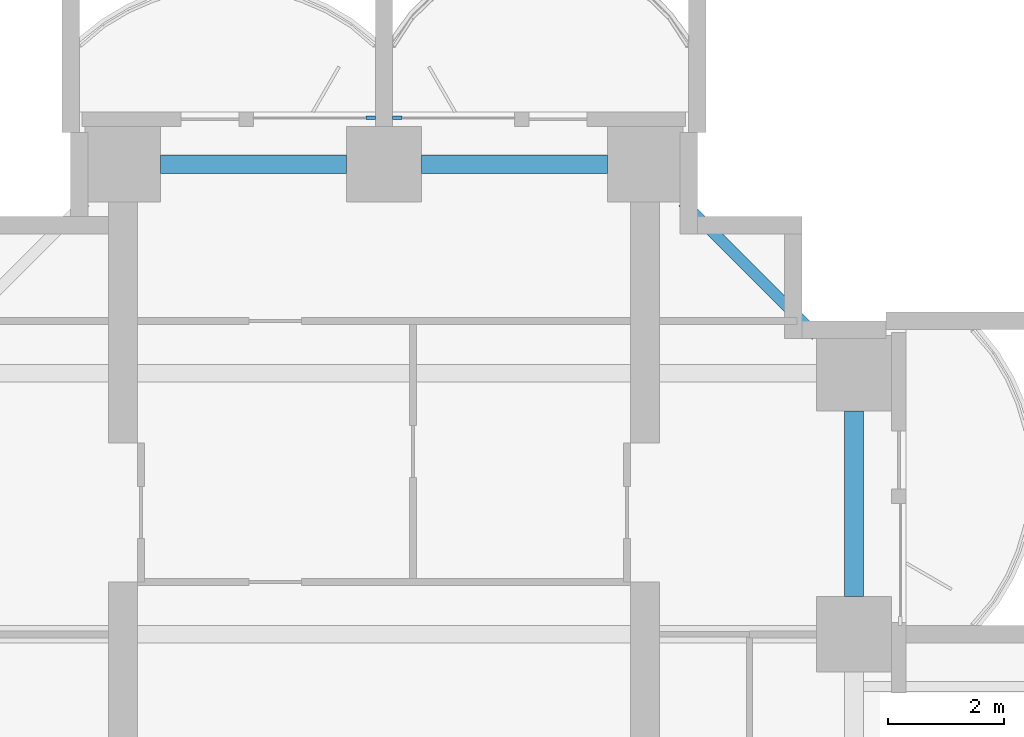
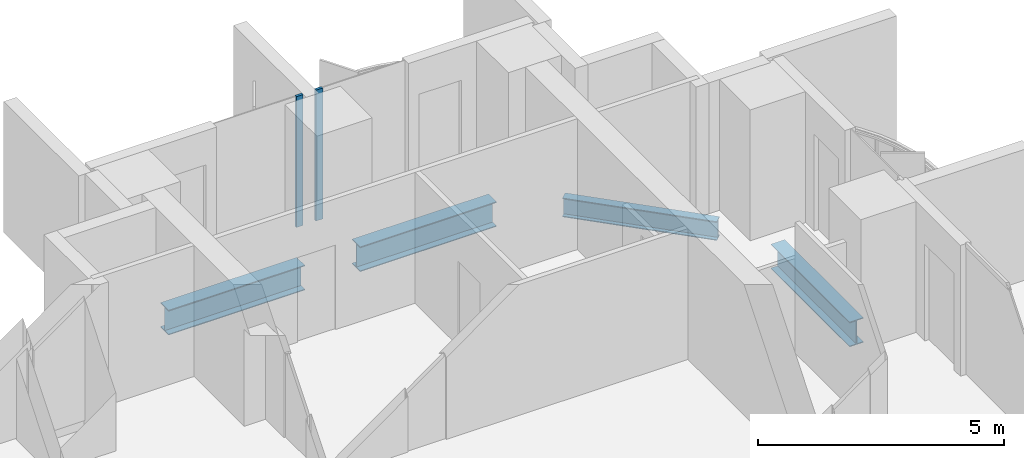
# One storey, part 7 of 21: 4 beams, 2 members, 2 elements without a shape of their own.
"""IFC4 building model written with IfcOpenShell, lengths in metres."""

from ifc_helpers import new_model, si_unit, direction, frame, origin, origin_2d, place, context, subcontext, project, spatial, rectangle, i_section, extrude, material, material_profile, profile_set, type_object, element, aggregate, save


model = new_model("IFC4")

# Units and contexts
model_context = context("Model", 3, precision=1e-05, world=origin(), true_north=direction((0.0, 1.0)))
body_context = subcontext(model_context, "Body", "Model", "MODEL_VIEW")
ifc_project = project(units=[si_unit("LENGTHUNIT", "METRE"), si_unit("AREAUNIT", "SQUARE_METRE"), si_unit("VOLUMEUNIT", "CUBIC_METRE"), si_unit("PLANEANGLEUNIT", "RADIAN"), si_unit("MASSUNIT", "GRAM", prefix="KILO")], contexts=[model_context])

# Site, building, storey
site_placement = place(None, origin())
site = spatial("IfcSite", under=ifc_project, at=site_placement, CompositionType="ELEMENT")
building_placement = place(site_placement, origin())
building = spatial("IfcBuilding", under=site, at=building_placement, Name="Perihelion Cross Residences", CompositionType="ELEMENT")
storey_placement = place(building_placement, frame((0.0, 0.0, 47.0)))
storey = spatial("IfcBuildingStorey", under=building, at=storey_placement, Name="L08", CompositionType="ELEMENT", Elevation=47.0)

# Curtain wall, member
ifc_material_1 = material(Name="Bronze anodised aluminium, tinted glazing", Category="aluminium")
curtain_wall_type = type_object("IfcCurtainWallType", Name="CW1", PredefinedType="NOTDEFINED", material=ifc_material_1)
curtain_wall_1_placement = place(storey_placement, origin())
curtain_wall_1 = element("IfcCurtainWall", 1, at=curtain_wall_1_placement, inside=storey, type_object=curtain_wall_type, Name="Curtain wall CW1 L08 north tip north bay 1", PredefinedType="NOTDEFINED")
ifc_material_2 = material(Name="Bronze anodised aluminium", Category="aluminium")
ifc_material_profile_1 = material_profile(ifc_material_2, rectangle(XDim=0.06005859375, YDim=0.159912109375, at=origin_2d()), Name="CW1 mullion")
ifc_profile_set_1 = profile_set([ifc_material_profile_1], Name="Bronze anodised aluminium")
member_type = type_object("IfcMemberType", Name="CW1 mullion", PredefinedType="MULLION", material=ifc_profile_set_1)
member_1_placement = place(storey_placement, frame((0.22998046875, 26.89990234375, 0.0), z_axis=(0.0, 0.0, 1.0), x_axis=(0.0, -1.0, 0.0)))
member_1 = element("IfcMember", 2, at=member_1_placement, type_object=member_type, Name="CW1 mullion 2", PredefinedType="MULLION", context=body_context, shape_type="SweptSolid", body=[
    extrude(rectangle(XDim=0.06005859375, YDim=0.159912109375, at=origin_2d()), origin(), (0.0, 0.0, 1.0), 3.25),
])
aggregate(curtain_wall_1, [member_1])

curtain_wall_2_placement = place(storey_placement, origin())
curtain_wall_2 = element("IfcCurtainWall", 3, at=curtain_wall_2_placement, inside=storey, type_object=curtain_wall_type, Name="Curtain wall CW1 L08 north tip north bay 2", PredefinedType="NOTDEFINED")
member_2_placement = place(storey_placement, frame((-0.22998046875, 26.89990234375, 0.0), z_axis=(0.0, 0.0, 1.0), x_axis=(0.0, -1.0, 0.0)))
member_2 = element("IfcMember", 4, at=member_2_placement, type_object=member_type, Name="CW1 mullion 1", PredefinedType="MULLION", context=body_context, shape_type="SweptSolid", body=[
    extrude(rectangle(XDim=0.06005859375, YDim=0.159912109375, at=origin_2d()), origin(), (0.0, 0.0, 1.0), 3.25),
])
aggregate(curtain_wall_2, [member_2])

# Beams
ifc_material_3 = material(Name="Steel S355", Category="steel")
ifc_material_profile_2 = material_profile(ifc_material_3, i_section(OverallWidth=0.324951171875, OverallDepth=0.616943359375, WebThickness=0.013916015625, FlangeThickness=0.021484375, at=origin_2d()), Name="W610x174")
ifc_profile_set_2 = profile_set([ifc_material_profile_2], Name="Steel S355")
beam_type_1 = type_object("IfcBeamType", Name="Edge beam W610x174", PredefinedType="SPANDREL", material=ifc_profile_set_2)
for number, where, z_axis, x_axis, name in (
    (5, (8.10009765625, 18.64990234375, -0.55859375), (0.0, 1.0, 0.0), (-1.0, 0.0, 0.0), "Edge beam SB2 L08 no. 19"),
    (6, (3.85009765625, 26.10009765625, -0.55859375), (-1.0, 0.0, 0.0), (0.0, -1.0, 0.0), "Edge beam SB2 L08 no. 15"),
    (7, (-0.64990234375, 26.10009765625, -0.55859375), (-1.0, 0.0, 0.0), (0.0, -1.0, 0.0), "Edge beam SB2 L08 no. 11"),
):
    element("IfcBeam", number, at=place(storey_placement, frame(where, z_axis=z_axis, x_axis=x_axis)), inside=storey, type_object=beam_type_1, Name=name, PredefinedType="SPANDREL", context=body_context, shape_type="SweptSolid", body=[
        extrude(i_section(OverallWidth=0.324951171875, OverallDepth=0.616943359375, WebThickness=0.013916015625, FlangeThickness=0.021484375, at=origin_2d()), origin(), (0.0, 0.0, 1.0), 3.2001953125),
    ])
ifc_material_4 = material(Name="Steel S355", Category="steel")
ifc_material_profile_3 = material_profile(ifc_material_4, i_section(OverallWidth=0.194091796875, OverallDepth=0.469970703125, WebThickness=0.0126953125, FlangeThickness=0.0205078125, at=origin_2d()), Name="W460x106")
ifc_profile_set_3 = profile_set([ifc_material_profile_3], Name="Steel S355")
beam_type_2 = type_object("IfcBeamType", Name="Serration edge beam W460x106", PredefinedType="BEAM", material=ifc_profile_set_3)
beam_placement = place(storey_placement, frame((7.449951171875, 23.14990234375, -0.485107421875), z_axis=(-0.707106781187, 0.707106781187, 0.0), x_axis=(-0.707106781187, -0.707106781187, 0.0)))
element("IfcBeam", 8, at=beam_placement, inside=storey, type_object=beam_type_2, Name="Serration edge beam EB2 L08 no. 4", PredefinedType="BEAM", context=body_context, shape_type="SweptSolid", body=[
    extrude(i_section(OverallWidth=0.194091796875, OverallDepth=0.469970703125, WebThickness=0.0126953125, FlangeThickness=0.0205078125, at=origin_2d()), origin(), (0.0, 0.0, 1.0), 3.252685546875),
])

save(model, "model.ifc")
